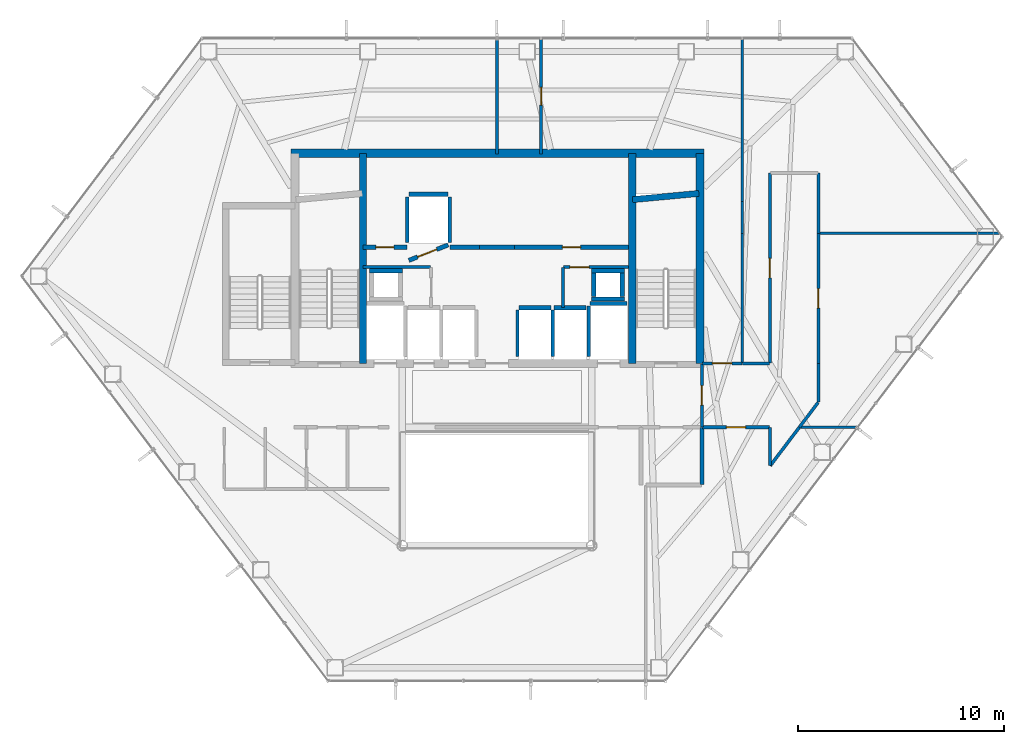
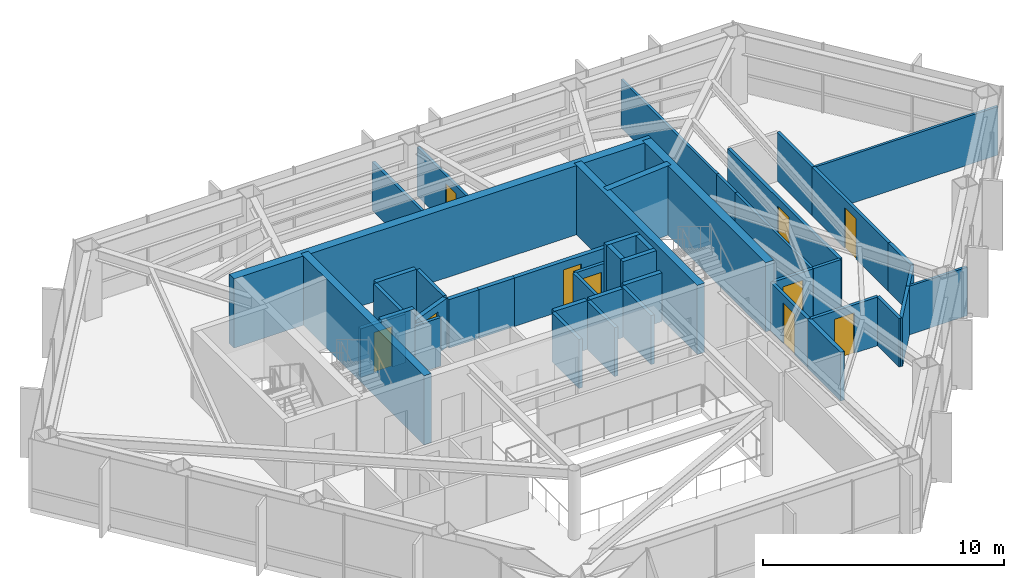
# One storey, part 26 of 28: 46 walls, 10 doors, 10 openings.
"""IFC4 building model written with IfcOpenShell, lengths in metres."""

from ifc_helpers import new_model, si_unit, direction, frame, frame_2d, origin, place, context, subcontext, project, spatial, rectangle, extrude, material, layer, layer_set, type_object, element, fill, save


model = new_model("IFC4")

# Units and contexts
model_context = context("Model", 3, precision=1e-05, world=origin(), true_north=direction((0.0, 1.0)))
body_context = subcontext(model_context, "Body", "Model", "MODEL_VIEW")
ifc_project = project(units=[si_unit("LENGTHUNIT", "METRE"), si_unit("AREAUNIT", "SQUARE_METRE"), si_unit("VOLUMEUNIT", "CUBIC_METRE"), si_unit("PLANEANGLEUNIT", "RADIAN"), si_unit("MASSUNIT", "GRAM", prefix="KILO")], contexts=[model_context])

# Site, building, storey
site_placement = place(None, origin())
site = spatial("IfcSite", under=ifc_project, at=site_placement, CompositionType="ELEMENT")
building_placement = place(site_placement, origin())
building = spatial("IfcBuilding", under=site, at=building_placement, Name="Zarrinselat Tower", CompositionType="ELEMENT")
storey_placement = place(building_placement, frame((0.0, 0.0, 149.60009765625)))
storey = spatial("IfcBuildingStorey", under=building, at=storey_placement, Name="L36", CompositionType="ELEMENT", Elevation=149.60009765625)

# Walls
ifc_material_1 = material(Name="Concrete C40/50", Category="concrete")
ifc_layer_1 = layer(ifc_material_1, 0.18994140625)
ifc_layer_set_1 = layer_set([ifc_layer_1], Name="Concrete C40/50")
wall_type_1 = type_object("IfcWallType", Name="WAL-PART-EI120", PredefinedType="PARTITIONING", material=ifc_layer_set_1)
wall_1_placement = place(storey_placement, frame((48.35009765625, 27.3701171875, 0.0), z_axis=(0.0, 0.0, 1.0), x_axis=(0.0, 1.0, 0.0)))
element("IfcWall", 1, at=wall_1_placement, inside=storey, type_object=wall_type_1, Name="L36 Partition Wall 17", PredefinedType="PARTITIONING", context=body_context, shape_type="SweptSolid", body=[
    extrude(rectangle(XDim=2.759765625, YDim=0.18994140625, at=frame_2d((1.3798828125, 0.0))), origin(), (0.0, 0.0, 1.0), 2.456787109375),
])
ifc_material_2 = material(Name="Fire-Rated Gypsum Board Partition", Category="gypsum")
ifc_layer_2 = layer(ifc_material_2, 0.14990234375)
ifc_layer_set_2 = layer_set([ifc_layer_2], Name="Fire-Rated Gypsum Board Partition")
wall_type_2 = type_object("IfcWallType", Name="WAL-PART-EI60", PredefinedType="PARTITIONING", material=ifc_layer_set_2)
wall_2_placement = place(storey_placement, frame((31.885009765625, 37.919921875, 0.0), z_axis=(0.0, 0.0, 1.0), x_axis=(1.0, 0.0, 0.0)))
element("IfcWall", 2, at=wall_2_placement, inside=storey, type_object=wall_type_2, Name="L36 Partition Wall 2", PredefinedType="PARTITIONING", context=body_context, shape_type="SweptSolid", body=[
    extrude(rectangle(XDim=3.294921875, YDim=0.14990234375, at=frame_2d((1.6474609375, 0.0))), origin(), (0.0, 0.0, 1.0), 2.456787109375),
])

# Wall, opening, door
wall_3_placement = place(storey_placement, frame((41.6201171875, 37.919921875, 0.0), z_axis=(0.0, 0.0, 1.0), x_axis=(1.0, 0.0, 0.0)))
wall_3 = element("IfcWall", 3, at=wall_3_placement, inside=storey, type_object=wall_type_2, Name="L36 Partition Wall 7", PredefinedType="PARTITIONING", context=body_context, shape_type="SweptSolid", body=[
    extrude(rectangle(XDim=3.164794921875, YDim=0.14990234375, at=frame_2d((1.58251953125, 0.0))), origin(), (0.0, 0.0, 1.0), 2.456787109375),
])
opening_1_placement = place(wall_3_placement, frame((0.3125, 0.0, 0.0)))
opening_1 = element("IfcOpeningElement", 4, at=opening_1_placement, cuts=wall_3, Name="Opening ID-04", PredefinedType="OPENING", context=body_context, shape_type="SweptSolid", body=[
    extrude(rectangle(XDim=0.93994140625, YDim=2.050048828125, at=frame_2d((0.469970703125, 1.02490234375))), frame((0.0, 0.0849609375, 0.0), z_axis=(0.0, -1.0, 0.0), x_axis=(1.0, 0.0, 0.0)), (0.0, 0.0, 1.0), 0.169921875),
])
ifc_material_3 = material(Name="Fire-Rated Gypsum Board Partition")
door_type_1 = type_object("IfcDoorType", Name="DR-INT-FD30-ENT", OperationType="NOTDEFINED", PredefinedType="DOOR", material=ifc_material_3)
door_1_placement = place(opening_1_placement, origin())
door_1 = element("IfcDoor", 5, at=door_1_placement, inside=storey, type_object=door_type_1, Name="L36 Interior Door P7", OperationType="SINGLE_SWING_RIGHT", OverallHeight=2.050048828125, OverallWidth=0.93994140625, PredefinedType="DOOR", context=body_context, shape_type="SweptSolid", body=[
    extrude(rectangle(XDim=0.93994140625, YDim=2.050048828125, at=frame_2d((0.469970703125, 1.02490234375))), frame((0.0, 0.02490234375, 0.0), z_axis=(0.0, -1.0, 0.0), x_axis=(1.0, 0.0, 0.0)), (0.0, 0.0, 1.0), 0.050048828125),
])
fill(opening_1, door_1)

# Wall
wall_4_placement = place(storey_placement, frame((41.60009765625, 35.969970703125, 0.0), z_axis=(0.0, 0.0, 1.0), x_axis=(0.0, 1.0, 0.0)))
element("IfcWall", 6, at=wall_4_placement, inside=storey, type_object=wall_type_2, Name="L36 Partition Wall 8", PredefinedType="PARTITIONING", context=body_context, shape_type="SweptSolid", body=[
    extrude(rectangle(XDim=1.929931640625, YDim=0.14990234375, at=frame_2d((0.96484375, 0.0))), origin(), (0.0, 0.0, 1.0), 2.456787109375),
])

# Wall, opening, door
wall_5_placement = place(storey_placement, frame((48.35009765625, 30.169921875, 0.0), z_axis=(0.0, 0.0, 1.0), x_axis=(0.0, 1.0, 0.0)))
wall_5 = element("IfcWall", 7, at=wall_5_placement, inside=storey, type_object=wall_type_2, Name="L36 Partition Wall 10", PredefinedType="PARTITIONING", context=body_context, shape_type="SweptSolid", body=[
    extrude(rectangle(XDim=3.06005859375, YDim=0.14990234375, at=frame_2d((1.530029296875, 0.0))), origin(), (0.0, 0.0, 1.0), 2.456787109375),
])
opening_2_placement = place(wall_5_placement, frame((1.06005859375, 0.0, 0.0)))
opening_2 = element("IfcOpeningElement", 8, at=opening_2_placement, cuts=wall_5, Name="Opening ID-04", PredefinedType="OPENING", context=body_context, shape_type="SweptSolid", body=[
    extrude(rectangle(XDim=0.93994140625, YDim=2.050048828125, at=frame_2d((0.469970703125, 1.02490234375))), frame((0.0, 0.0849609375, 0.0), z_axis=(0.0, -1.0, 0.0), x_axis=(1.0, 0.0, 0.0)), (0.0, 0.0, 1.0), 0.169921875),
])
door_2_placement = place(opening_2_placement, origin())
door_2 = element("IfcDoor", 9, at=door_2_placement, inside=storey, type_object=door_type_1, Name="L36 Interior Door P10", OperationType="SINGLE_SWING_RIGHT", OverallHeight=2.050048828125, OverallWidth=0.93994140625, PredefinedType="DOOR", context=body_context, shape_type="SweptSolid", body=[
    extrude(rectangle(XDim=0.93994140625, YDim=2.050048828125, at=frame_2d((0.469970703125, 1.02490234375))), frame((0.0, 0.02490234375, 0.0), z_axis=(0.0, -1.0, 0.0), x_axis=(1.0, 0.0, 0.0)), (0.0, 0.0, 1.0), 0.050048828125),
])
fill(opening_2, door_2)

# Walls
wall_6_placement = place(storey_placement, frame((51.662109375, 28.28173828125, 0.0), z_axis=(0.0, 0.0, 1.0), x_axis=(0.603811538878, 0.797127107504, 0.0)))
element("IfcWall", 10, at=wall_6_placement, inside=storey, type_object=wall_type_2, Name="L36 Partition Wall 18", PredefinedType="PARTITIONING", context=body_context, shape_type="SweptSolid", body=[
    extrude(rectangle(XDim=2.3427734375, YDim=0.14990234375, at=frame_2d((1.17138671875, 0.0))), origin(), (0.0, 0.0, 1.0), 2.456787109375),
])
wall_7_placement = place(storey_placement, frame((51.64990234375, 28.285888671875, 0.0), z_axis=(0.0, 0.0, 1.0), x_axis=(0.0, 1.0, 0.0)))
element("IfcWall", 11, at=wall_7_placement, inside=storey, type_object=wall_type_2, Name="L36 Partition Wall 19", PredefinedType="PARTITIONING", context=body_context, shape_type="SweptSolid", body=[
    extrude(rectangle(XDim=1.843994140625, YDim=0.14990234375, at=frame_2d((0.921875, 0.0))), origin(), (0.0, 0.0, 1.0), 2.456787109375),
])

# Wall, opening, door
wall_8_placement = place(storey_placement, frame((48.3701171875, 30.14990234375, 0.0), z_axis=(0.0, 0.0, 1.0), x_axis=(1.0, 0.0, 0.0)))
wall_8 = element("IfcWall", 12, at=wall_8_placement, inside=storey, type_object=wall_type_2, Name="L36 Partition Wall 20", PredefinedType="PARTITIONING", context=body_context, shape_type="SweptSolid", body=[
    extrude(rectangle(XDim=3.259765625, YDim=0.14990234375, at=frame_2d((1.6298828125, 0.0))), origin(), (0.0, 0.0, 1.0), 2.456787109375),
])
opening_3_placement = place(wall_8_placement, frame((1.159912109375, 0.0, 0.0)))
opening_3 = element("IfcOpeningElement", 13, at=opening_3_placement, cuts=wall_8, Name="Opening ID-04", PredefinedType="OPENING", context=body_context, shape_type="SweptSolid", body=[
    extrude(rectangle(XDim=0.93994140625, YDim=2.050048828125, at=frame_2d((0.469970703125, 1.02490234375))), frame((0.0, 0.0849609375, 0.0), z_axis=(0.0, -1.0, 0.0), x_axis=(1.0, 0.0, 0.0)), (0.0, 0.0, 1.0), 0.169921875),
])
door_3_placement = place(opening_3_placement, origin())
door_3 = element("IfcDoor", 14, at=door_3_placement, inside=storey, type_object=door_type_1, Name="L36 Interior Door P20", OperationType="SINGLE_SWING_RIGHT", OverallHeight=2.050048828125, OverallWidth=0.93994140625, PredefinedType="DOOR", context=body_context, shape_type="SweptSolid", body=[
    extrude(rectangle(XDim=0.93994140625, YDim=2.050048828125, at=frame_2d((0.469970703125, 1.02490234375))), frame((0.0, 0.02490234375, 0.0), z_axis=(0.0, -1.0, 0.0), x_axis=(1.0, 0.0, 0.0)), (0.0, 0.0, 1.0), 0.050048828125),
])
fill(opening_3, door_3)

wall_9_placement = place(storey_placement, frame((54.0, 33.25, 0.0), z_axis=(0.0, 0.0, 1.0), x_axis=(0.0, 1.0, 0.0)))
wall_9 = element("IfcWall", 15, at=wall_9_placement, inside=storey, type_object=wall_type_2, Name="L36 Partition Wall 21", PredefinedType="PARTITIONING", context=body_context, shape_type="SweptSolid", body=[
    extrude(rectangle(XDim=6.306640625, YDim=0.14990234375, at=frame_2d((3.1533203125, 0.0))), origin(), (0.0, 0.0, 1.0), 2.456787109375),
])
opening_4_placement = place(wall_9_placement, frame((2.683349609375, 0.0, 0.0)))
opening_4 = element("IfcOpeningElement", 16, at=opening_4_placement, cuts=wall_9, Name="Opening ID-04", PredefinedType="OPENING", context=body_context, shape_type="SweptSolid", body=[
    extrude(rectangle(XDim=0.93994140625, YDim=2.050048828125, at=frame_2d((0.469970703125, 1.02490234375))), frame((0.0, 0.0849609375, 0.0), z_axis=(0.0, -1.0, 0.0), x_axis=(1.0, 0.0, 0.0)), (0.0, 0.0, 1.0), 0.169921875),
])
door_4_placement = place(opening_4_placement, origin())
door_4 = element("IfcDoor", 17, at=door_4_placement, inside=storey, type_object=door_type_1, Name="L36 Interior Door P21", OperationType="SINGLE_SWING_LEFT", OverallHeight=2.050048828125, OverallWidth=0.93994140625, PredefinedType="DOOR", context=body_context, shape_type="SweptSolid", body=[
    extrude(rectangle(XDim=0.93994140625, YDim=2.050048828125, at=frame_2d((0.469970703125, 1.02490234375))), frame((0.0, 0.02490234375, 0.0), z_axis=(0.0, -1.0, 0.0), x_axis=(1.0, 0.0, 0.0)), (0.0, 0.0, 1.0), 0.050048828125),
])
fill(opening_4, door_4)

# Walls
wall_10_placement = place(storey_placement, frame((54.0, 31.3876953125, 0.0), z_axis=(0.0, 0.0, 1.0), x_axis=(0.0, 1.0, 0.0)))
element("IfcWall", 18, at=wall_10_placement, inside=storey, type_object=wall_type_2, Name="L36 Partition Wall 22", PredefinedType="PARTITIONING", context=body_context, shape_type="SweptSolid", body=[
    extrude(rectangle(XDim=1.8623046875, YDim=0.14990234375, at=frame_2d((0.93115234375, 0.0))), origin(), (0.0, 0.0, 1.0), 2.456787109375),
])
wall_11_placement = place(storey_placement, frame((53.080322265625, 30.154052734375, 0.0), z_axis=(0.0, 0.0, 1.0), x_axis=(0.603892095683, 0.797066080555, 0.0)))
element("IfcWall", 19, at=wall_11_placement, inside=storey, type_object=wall_type_2, Name="L36 Partition Wall 23", PredefinedType="PARTITIONING", context=body_context, shape_type="SweptSolid", body=[
    extrude(rectangle(XDim=1.502685546875, YDim=0.14990234375, at=frame_2d((0.75146484375, 0.0))), origin(), (0.0, 0.0, 1.0), 2.456787109375),
])
wall_12_placement = place(storey_placement, frame((50.304931640625, 33.25, 0.0), z_axis=(0.0, 0.0, 1.0), x_axis=(1.0, 0.0, 0.0)))
element("IfcWall", 20, at=wall_12_placement, inside=storey, type_object=wall_type_2, Name="L36 Partition Wall 24", PredefinedType="PARTITIONING", context=body_context, shape_type="SweptSolid", body=[
    extrude(rectangle(XDim=1.324951171875, YDim=0.14990234375, at=frame_2d((0.66259765625, 0.0))), origin(), (0.0, 0.0, 1.0), 2.456787109375),
])

# Wall, opening, door
wall_13_placement = place(storey_placement, frame((51.64990234375, 33.27001953125, 0.0), z_axis=(0.0, 0.0, 1.0), x_axis=(0.0, 1.0, 0.0)))
wall_13 = element("IfcWall", 21, at=wall_13_placement, inside=storey, type_object=wall_type_2, Name="L36 Partition Wall 25", PredefinedType="PARTITIONING", context=body_context, shape_type="SweptSolid", body=[
    extrude(rectangle(XDim=9.2099609375, YDim=0.14990234375, at=frame_2d((4.60498046875, 0.0))), origin(), (0.0, 0.0, 1.0), 2.456787109375),
])
opening_5_placement = place(wall_13_placement, frame((4.135009765625, 0.0, 0.0)))
opening_5 = element("IfcOpeningElement", 22, at=opening_5_placement, cuts=wall_13, Name="Opening ID-04", PredefinedType="OPENING", context=body_context, shape_type="SweptSolid", body=[
    extrude(rectangle(XDim=0.93994140625, YDim=2.050048828125, at=frame_2d((0.469970703125, 1.02490234375))), frame((0.0, 0.0849609375, 0.0), z_axis=(0.0, -1.0, 0.0), x_axis=(1.0, 0.0, 0.0)), (0.0, 0.0, 1.0), 0.169921875),
])
door_5_placement = place(opening_5_placement, origin())
door_5 = element("IfcDoor", 23, at=door_5_placement, inside=storey, type_object=door_type_1, Name="L36 Interior Door P25", OperationType="SINGLE_SWING_RIGHT", OverallHeight=2.050048828125, OverallWidth=0.93994140625, PredefinedType="DOOR", context=body_context, shape_type="SweptSolid", body=[
    extrude(rectangle(XDim=0.93994140625, YDim=2.050048828125, at=frame_2d((0.469970703125, 1.02490234375))), frame((0.0, 0.02490234375, 0.0), z_axis=(0.0, -1.0, 0.0), x_axis=(1.0, 0.0, 0.0)), (0.0, 0.0, 1.0), 0.050048828125),
])
fill(opening_5, door_5)

# Wall
wall_14_placement = place(storey_placement, frame((54.0, 39.566650390625, 0.0), z_axis=(0.0, 0.0, 1.0), x_axis=(0.0, 1.0, 0.0)))
element("IfcWall", 24, at=wall_14_placement, inside=storey, type_object=wall_type_2, Name="L36 Partition Wall 27", PredefinedType="PARTITIONING", context=body_context, shape_type="SweptSolid", body=[
    extrude(rectangle(XDim=2.913330078125, YDim=0.14990234375, at=frame_2d((1.45654296875, 0.0))), origin(), (0.0, 0.0, 1.0), 2.456787109375),
])

# Wall, opening, door
wall_15_placement = place(storey_placement, frame((48.364990234375, 33.25, 0.0), z_axis=(0.0, 0.0, 1.0), x_axis=(1.0, 0.0, 0.0)))
wall_15 = element("IfcWall", 25, at=wall_15_placement, inside=storey, type_object=wall_type_2, Name="L36 Partition Wall 28", PredefinedType="PARTITIONING", context=body_context, shape_type="SweptSolid", body=[
    extrude(rectangle(XDim=1.929931640625, YDim=0.14990234375, at=frame_2d((0.96484375, 0.0))), origin(), (0.0, 0.0, 1.0), 2.456787109375),
])
opening_6_placement = place(wall_15_placement, frame((0.4951171875, 0.0, 0.0)))
opening_6 = element("IfcOpeningElement", 26, at=opening_6_placement, cuts=wall_15, Name="Opening ID-04", PredefinedType="OPENING", context=body_context, shape_type="SweptSolid", body=[
    extrude(rectangle(XDim=0.93994140625, YDim=2.050048828125, at=frame_2d((0.469970703125, 1.02490234375))), frame((0.0, 0.0849609375, 0.0), z_axis=(0.0, -1.0, 0.0), x_axis=(1.0, 0.0, 0.0)), (0.0, 0.0, 1.0), 0.169921875),
])
door_6_placement = place(opening_6_placement, origin())
door_6 = element("IfcDoor", 27, at=door_6_placement, inside=storey, type_object=door_type_1, Name="L36 Interior Door P28", OperationType="SINGLE_SWING_LEFT", OverallHeight=2.050048828125, OverallWidth=0.93994140625, PredefinedType="DOOR", context=body_context, shape_type="SweptSolid", body=[
    extrude(rectangle(XDim=0.93994140625, YDim=2.050048828125, at=frame_2d((0.469970703125, 1.02490234375))), frame((0.0, 0.02490234375, 0.0), z_axis=(0.0, -1.0, 0.0), x_axis=(1.0, 0.0, 0.0)), (0.0, 0.0, 1.0), 0.050048828125),
])
fill(opening_6, door_6)

ifc_material_4 = material(Name="Concrete C40/50", Category="concrete")
ifc_layer_3 = layer(ifc_material_4, 0.199951171875)
ifc_layer_set_3 = layer_set([ifc_layer_3], Name="Concrete C40/50")
wall_type_3 = type_object("IfcWallType", Name="WAL-PART-PLANT", PredefinedType="PARTITIONING", material=ifc_layer_set_3)
wall_16_placement = place(storey_placement, frame((31.885009765625, 38.889892578125, 0.0), z_axis=(0.0, 0.0, 1.0), x_axis=(1.0, 0.0, 0.0)))
wall_16 = element("IfcWall", 28, at=wall_16_placement, inside=storey, type_object=wall_type_3, Name="L36 Partition Wall 3", PredefinedType="PARTITIONING", context=body_context, shape_type="SweptSolid", body=[
    extrude(rectangle(XDim=2.14990234375, YDim=0.199951171875, at=frame_2d((1.074951171875, 0.0))), origin(), (0.0, 0.0, 1.0), 2.456787109375),
])
opening_7_placement = place(wall_16_placement, frame((0.635009765625, 0.0, 0.0)))
opening_7 = element("IfcOpeningElement", 29, at=opening_7_placement, cuts=wall_16, Name="Opening ID-03", PredefinedType="OPENING", context=body_context, shape_type="SweptSolid", body=[
    extrude(rectangle(XDim=0.8798828125, YDim=2.050048828125, at=frame_2d((0.43994140625, 1.02490234375))), frame((0.0, 0.10986328125, 0.0), z_axis=(0.0, -1.0, 0.0), x_axis=(1.0, 0.0, 0.0)), (0.0, 0.0, 1.0), 0.219970703125),
])
ifc_material_5 = material(Name="Steel S355J2", Category="steel")
door_type_2 = type_object("IfcDoorType", Name="DR-INT-FD60-S", OperationType="NOTDEFINED", PredefinedType="DOOR", material=ifc_material_5)
door_7_placement = place(opening_7_placement, origin())
door_7 = element("IfcDoor", 30, at=door_7_placement, inside=storey, type_object=door_type_2, Name="L36 Interior Door P3", OperationType="SINGLE_SWING_RIGHT", OverallHeight=2.050048828125, OverallWidth=0.8798828125, PredefinedType="DOOR", context=body_context, shape_type="SweptSolid", body=[
    extrude(rectangle(XDim=0.8798828125, YDim=2.050048828125, at=frame_2d((0.43994140625, 1.02490234375))), frame((0.0, 0.02490234375, 0.0), z_axis=(0.0, -1.0, 0.0), x_axis=(1.0, 0.0, 0.0)), (0.0, 0.0, 1.0), 0.050048828125),
])
fill(opening_7, door_7)

# Walls
wall_17_placement = place(storey_placement, frame((36.114990234375, 38.889892578125, 0.0), z_axis=(0.0, 0.0, 1.0), x_axis=(1.0, 0.0, 0.0)))
element("IfcWall", 31, at=wall_17_placement, inside=storey, type_object=wall_type_3, Name="L36 Partition Wall 4", PredefinedType="PARTITIONING", context=body_context, shape_type="SweptSolid", body=[
    extrude(rectangle(XDim=1.43505859375, YDim=0.199951171875, at=frame_2d((0.717529296875, 0.0))), origin(), (0.0, 0.0, 1.0), 2.456787109375),
])
wall_18_placement = place(storey_placement, frame((37.550048828125, 38.889892578125, 0.0), z_axis=(0.0, 0.0, 1.0), x_axis=(1.0, 0.0, 0.0)))
element("IfcWall", 32, at=wall_18_placement, inside=storey, type_object=wall_type_3, Name="L36 Partition Wall 5", PredefinedType="PARTITIONING", context=body_context, shape_type="SweptSolid", body=[
    extrude(rectangle(XDim=1.699951171875, YDim=0.199951171875, at=frame_2d((0.85009765625, 0.0))), origin(), (0.0, 0.0, 1.0), 2.456787109375),
])

# Wall, opening, door
wall_19_placement = place(storey_placement, frame((39.25, 38.889892578125, 0.0), z_axis=(0.0, 0.0, 1.0), x_axis=(1.0, 0.0, 0.0)))
wall_19 = element("IfcWall", 33, at=wall_19_placement, inside=storey, type_object=wall_type_3, Name="L36 Partition Wall 6", PredefinedType="PARTITIONING", context=body_context, shape_type="SweptSolid", body=[
    extrude(rectangle(XDim=5.534912109375, YDim=0.199951171875, at=frame_2d((2.767578125, 0.0))), origin(), (0.0, 0.0, 1.0), 2.456787109375),
])
opening_8_placement = place(wall_19_placement, frame((2.327392578125, 0.0, 0.0)))
opening_8 = element("IfcOpeningElement", 34, at=opening_8_placement, cuts=wall_19, Name="Opening ID-03", PredefinedType="OPENING", context=body_context, shape_type="SweptSolid", body=[
    extrude(rectangle(XDim=0.8798828125, YDim=2.050048828125, at=frame_2d((0.43994140625, 1.02490234375))), frame((0.0, 0.10986328125, 0.0), z_axis=(0.0, -1.0, 0.0), x_axis=(1.0, 0.0, 0.0)), (0.0, 0.0, 1.0), 0.219970703125),
])
door_8_placement = place(opening_8_placement, origin())
door_8 = element("IfcDoor", 35, at=door_8_placement, inside=storey, type_object=door_type_2, Name="L36 Interior Door P6", OperationType="SINGLE_SWING_LEFT", OverallHeight=2.050048828125, OverallWidth=0.8798828125, PredefinedType="DOOR", context=body_context, shape_type="SweptSolid", body=[
    extrude(rectangle(XDim=0.8798828125, YDim=2.050048828125, at=frame_2d((0.43994140625, 1.02490234375))), frame((0.0, 0.02490234375, 0.0), z_axis=(0.0, -1.0, 0.0), x_axis=(1.0, 0.0, 0.0)), (0.0, 0.0, 1.0), 0.050048828125),
])
fill(opening_8, door_8)

# Walls
ifc_material_6 = material(Name="Fire-Rated Gypsum Board Partition", Category="gypsum")
ifc_layer_4 = layer(ifc_material_6, 0.1201171875)
ifc_layer_set_4 = layer_set([ifc_layer_4], Name="Fire-Rated Gypsum Board Partition")
wall_type_4 = type_object("IfcWallType", Name="WAL-PART-STD", PredefinedType="PARTITIONING", material=ifc_layer_set_4)
wall_20_placement = place(storey_placement, frame((53.097412109375, 30.14990234375, 0.0), z_axis=(0.0, 0.0, 1.0), x_axis=(1.0, 0.0, 0.0)))
element("IfcWall", 36, at=wall_20_placement, inside=storey, type_object=wall_type_4, Name="L36 Partition Wall 39", PredefinedType="PARTITIONING", context=body_context, shape_type="SweptSolid", body=[
    extrude(rectangle(XDim=2.80029296875, YDim=0.1201171875, at=frame_2d((1.400146484375, 0.0))), origin(), (0.0, 0.0, 1.0), 2.456787109375),
])
wall_21_placement = place(storey_placement, frame((54.02001953125, 39.561767578125, 0.0), z_axis=(0.0, 0.0, 1.0), x_axis=(1.0, 0.0, 0.0)))
element("IfcWall", 37, at=wall_21_placement, inside=storey, type_object=wall_type_4, Name="L36 Partition Wall 40", PredefinedType="PARTITIONING", context=body_context, shape_type="SweptSolid", body=[
    extrude(rectangle(XDim=8.773193359375, YDim=0.1201171875, at=frame_2d((4.38671875, 0.0))), origin(), (0.0, 0.0, 1.0), 2.456787109375),
])
wall_22_placement = place(storey_placement, frame((50.300048828125, 33.27001953125, 0.0), z_axis=(0.0, 0.0, 1.0), x_axis=(0.0, 1.0, 0.0)))
element("IfcWall", 38, at=wall_22_placement, inside=storey, type_object=wall_type_4, Name="L36 Partition Wall 41", PredefinedType="PARTITIONING", context=body_context, shape_type="SweptSolid", body=[
    extrude(rectangle(XDim=6.291748046875, YDim=0.1201171875, at=frame_2d((3.14599609375, 0.0))), origin(), (0.0, 0.0, 1.0), 2.456787109375),
])
wall_23_placement = place(storey_placement, frame((50.300048828125, 39.561767578125, 0.0), z_axis=(0.0, 0.0, 1.0), x_axis=(0.0, 1.0, 0.0)))
element("IfcWall", 39, at=wall_23_placement, inside=storey, type_object=wall_type_4, Name="L36 Partition Wall 42", PredefinedType="PARTITIONING", context=body_context, shape_type="SweptSolid", body=[
    extrude(rectangle(XDim=1.5498046875, YDim=0.1201171875, at=frame_2d((0.77490234375, 0.0))), origin(), (0.0, 0.0, 1.0), 2.456787109375),
])
wall_24_placement = place(storey_placement, frame((50.300048828125, 41.111572265625, 0.0), z_axis=(0.0, 0.0, 1.0), x_axis=(0.0, 1.0, 0.0)))
element("IfcWall", 40, at=wall_24_placement, inside=storey, type_object=wall_type_4, Name="L36 Partition Wall 43", PredefinedType="PARTITIONING", context=body_context, shape_type="SweptSolid", body=[
    extrude(rectangle(XDim=7.90673828125, YDim=0.1201171875, at=frame_2d((3.953369140625, 0.0))), origin(), (0.0, 0.0, 1.0), 2.456787109375),
])
ifc_material_7 = material(Name="Fire-Rated Gypsum Board Partition", Category="gypsum")
ifc_layer_5 = layer(ifc_material_7, 0.135009765625)
ifc_layer_set_5 = layer_set([ifc_layer_5], Name="Fire-Rated Gypsum Board Partition")
wall_type_5 = type_object("IfcWallType", Name="WAL-PART-WET", PredefinedType="PARTITIONING", material=ifc_layer_set_5)
wall_25_placement = place(storey_placement, frame((38.39990234375, 43.4150390625, 0.0), z_axis=(0.0, 0.0, 1.0), x_axis=(0.0, 1.0, 0.0)))
element("IfcWall", 41, at=wall_25_placement, inside=storey, type_object=wall_type_5, Name="L36 Partition Wall 38", PredefinedType="PARTITIONING", context=body_context, shape_type="SweptSolid", body=[
    extrude(rectangle(XDim=5.603271484375, YDim=0.135009765625, at=frame_2d((2.8017578125, 0.0))), origin(), (0.0, 0.0, 1.0), 2.456787109375),
])

# Wall, opening, door
wall_26_placement = place(storey_placement, frame((40.5419921875, 43.4150390625, 0.0), z_axis=(0.0, 0.0, 1.0), x_axis=(0.0, 1.0, 0.0)))
wall_26 = element("IfcWall", 42, at=wall_26_placement, inside=storey, type_object=wall_type_5, Name="L36 Partition Wall 44", PredefinedType="PARTITIONING", context=body_context, shape_type="SweptSolid", body=[
    extrude(rectangle(XDim=5.603271484375, YDim=0.135009765625, at=frame_2d((2.8017578125, 0.0))), origin(), (0.0, 0.0, 1.0), 2.456787109375),
])
opening_9_placement = place(wall_26_placement, frame((2.37158203125, 0.0, 0.0)))
opening_9 = element("IfcOpeningElement", 43, at=opening_9_placement, cuts=wall_26, Name="Opening ID-06", PredefinedType="OPENING", context=body_context, shape_type="SweptSolid", body=[
    extrude(rectangle(XDim=0.860107421875, YDim=2.050048828125, at=frame_2d((0.43017578125, 1.02490234375))), frame((0.0, 0.077392578125, 0.0), z_axis=(0.0, -1.0, 0.0), x_axis=(1.0, 0.0, 0.0)), (0.0, 0.0, 1.0), 0.155029296875),
])
ifc_material_8 = material(Name="Extruded Aluminium Alloy EN AW-6063 T6", Category="aluminium")
door_type_3 = type_object("IfcDoorType", Name="DR-INT-WET-900", OperationType="NOTDEFINED", PredefinedType="DOOR", material=ifc_material_8)
door_9_placement = place(opening_9_placement, origin())
door_9 = element("IfcDoor", 44, at=door_9_placement, inside=storey, type_object=door_type_3, Name="L36 Interior Door P44", OperationType="SINGLE_SWING_RIGHT", OverallHeight=2.050048828125, OverallWidth=0.860107421875, PredefinedType="DOOR", context=body_context, shape_type="SweptSolid", body=[
    extrude(rectangle(XDim=0.860107421875, YDim=2.050048828125, at=frame_2d((0.43017578125, 1.02490234375))), frame((0.0, 0.02490234375, 0.0), z_axis=(0.0, -1.0, 0.0), x_axis=(1.0, 0.0, 0.0)), (0.0, 0.0, 1.0), 0.050048828125),
])
fill(opening_9, door_9)

# Walls
ifc_material_9 = material(Name="Concrete C40/50", Category="concrete")
ifc_layer_6 = layer(ifc_material_9, 0.2099609375)
ifc_layer_set_6 = layer_set([ifc_layer_6], Name="Concrete C40/50")
wall_type_6 = type_object("IfcWallType", Name="WAL-SHAFT-210", PredefinedType="SOLIDWALL", material=ifc_layer_set_6)
wall_27_placement = place(storey_placement, frame((42.919921875, 36.155029296875, 0.0), z_axis=(0.0, 0.0, 1.0), x_axis=(1.0, 0.0, 0.0)))
element("IfcWall", 45, at=wall_27_placement, inside=storey, type_object=wall_type_6, Name="L36 Lift FFL2 North Shaft Wall", PredefinedType="SOLIDWALL", context=body_context, shape_type="SweptSolid", body=[
    extrude(rectangle(XDim=1.800048828125, YDim=0.2099609375, at=frame_2d((0.89990234375, 0.0))), origin(), (0.0, 0.0, 1.0), 2.471923828125),
])
wall_28_placement = place(storey_placement, frame((42.85009765625, 33.580078125, 0.0), z_axis=(0.0, 0.0, 1.0), x_axis=(0.0, 1.0, 0.0)))
element("IfcWall", 46, at=wall_28_placement, inside=storey, type_object=wall_type_6, Name="L36 Lift FFL2 W Shaft Wall", PredefinedType="SOLIDWALL", context=body_context, shape_type="SweptSolid", body=[
    extrude(rectangle(XDim=2.449951171875, YDim=0.159912109375, at=frame_2d((1.22509765625, 0.0))), origin(), (0.0, 0.0, 1.0), 2.471923828125),
])

# Wall, opening, door
wall_29_placement = place(storey_placement, frame((34.1201171875, 38.25, 0.0), z_axis=(0.0, 0.0, 1.0), x_axis=(0.930804993012, 0.36551616241, 0.0)))
wall_29 = element("IfcWall", 47, at=wall_29_placement, inside=storey, type_object=wall_type_6, Name="L36 Lift PL7 Front Shaft Wall", PredefinedType="SOLIDWALL", context=body_context, shape_type="SweptSolid", body=[
    extrude(rectangle(XDim=2.052001953125, YDim=0.2099609375, at=frame_2d((1.02587890625, 0.0))), origin(), (0.0, 0.0, 1.0), 2.471923828125),
])
opening_10_placement = place(wall_29_placement, frame((0.455078125, 0.0, 0.0)))
opening_10 = element("IfcOpeningElement", 48, at=opening_10_placement, cuts=wall_29, Name="Opening LD-PL7", PredefinedType="OPENING", context=body_context, shape_type="SweptSolid", body=[
    extrude(rectangle(XDim=1.0, YDim=2.10009765625, at=frame_2d((0.5, 1.050048828125))), frame((0.0, 0.114990234375, 0.0), z_axis=(0.0, -1.0, 0.0), x_axis=(1.0, 0.0, 0.0)), (0.0, 0.0, 1.0), 0.22998046875),
])
ifc_material_10 = material(Name="Steel S355J2", Category="steel")
door_type_4 = type_object("IfcDoorType", Name="DR-LIFT-PS-1000", OperationType="NOTDEFINED", PredefinedType="DOOR", material=ifc_material_10)
door_10_placement = place(opening_10_placement, origin())
door_10 = element("IfcDoor", 49, at=door_10_placement, inside=storey, type_object=door_type_4, Name="L36 Lift PL7 Sliding Landing Door", OperationType="SLIDING_TO_LEFT", OverallHeight=2.10009765625, OverallWidth=1.0, PredefinedType="DOOR", context=body_context, shape_type="SweptSolid", body=[
    extrude(rectangle(XDim=1.0, YDim=2.10009765625, at=frame_2d((0.5, 1.050048828125))), frame((0.0, 0.02490234375, 0.0), z_axis=(0.0, -1.0, 0.0), x_axis=(1.0, 0.0, 0.0)), (0.0, 0.0, 1.0), 0.050048828125),
])
fill(opening_10, door_10)

# Walls
wall_30_placement = place(storey_placement, frame((34.1201171875, 41.455078125, 0.0), z_axis=(0.0, 0.0, 1.0), x_axis=(1.0, 0.0, 0.0)))
element("IfcWall", 50, at=wall_30_placement, inside=storey, type_object=wall_type_6, Name="L36 Lift PL7 Rear Shaft Wall", PredefinedType="SOLIDWALL", context=body_context, shape_type="SweptSolid", body=[
    extrude(rectangle(XDim=1.909912109375, YDim=0.2099609375, at=frame_2d((0.955078125, 0.0))), origin(), (0.0, 0.0, 1.0), 2.471923828125),
])
for number, where, z_axis, x_axis, name in (
    (51, (34.050048828125, 39.1201171875, 0.0), (0.0, 0.0, 1.0), (0.0, 1.0, 0.0), "L36 Lift PL7 W Shaft Wall"),
    (52, (36.10009765625, 39.1201171875, 0.0), (0.0, 0.0, 1.0), (0.0, 1.0, 0.0), "L36 Lift PL7 E Shaft Wall"),
):
    element("IfcWall", number, at=place(storey_placement, frame(where, z_axis=z_axis, x_axis=x_axis)), inside=storey, type_object=wall_type_6, Name=name, PredefinedType="SOLIDWALL", context=body_context, shape_type="SweptSolid", body=[
        extrude(rectangle(XDim=2.2099609375, YDim=0.159912109375, at=frame_2d((1.10498046875, 0.0))), origin(), (0.0, 0.0, 1.0), 2.471923828125),
    ])
wall_31_placement = place(storey_placement, frame((39.469970703125, 35.955078125, 0.0), z_axis=(0.0, 0.0, 1.0), x_axis=(1.0, 0.0, 0.0)))
element("IfcWall", 53, at=wall_31_placement, inside=storey, type_object=wall_type_6, Name="L36 Lift PL8 North Shaft Wall", PredefinedType="SOLIDWALL", context=body_context, shape_type="SweptSolid", body=[
    extrude(rectangle(XDim=1.56005859375, YDim=0.2099609375, at=frame_2d((0.780029296875, 0.0))), origin(), (0.0, 0.0, 1.0), 2.471923828125),
])
for number, where, z_axis, x_axis, name in (
    (54, (39.39990234375, 33.580078125, 0.0), (0.0, 0.0, 1.0), (0.0, 1.0, 0.0), "L36 Lift PL8 W Shaft Wall"),
    (55, (41.10009765625, 33.580078125, 0.0), (0.0, 0.0, 1.0), (0.0, 1.0, 0.0), "L36 Lift PL8 E Shaft Wall"),
):
    element("IfcWall", number, at=place(storey_placement, frame(where, z_axis=z_axis, x_axis=x_axis)), inside=storey, type_object=wall_type_6, Name=name, PredefinedType="SOLIDWALL", context=body_context, shape_type="SweptSolid", body=[
        extrude(rectangle(XDim=2.25, YDim=0.159912109375, at=frame_2d((1.125, 0.0))), origin(), (0.0, 0.0, 1.0), 2.471923828125),
    ])
wall_32_placement = place(storey_placement, frame((41.169921875, 35.955078125, 0.0), z_axis=(0.0, 0.0, 1.0), x_axis=(1.0, 0.0, 0.0)))
element("IfcWall", 56, at=wall_32_placement, inside=storey, type_object=wall_type_6, Name="L36 Lift PL9 North Shaft Wall", PredefinedType="SOLIDWALL", context=body_context, shape_type="SweptSolid", body=[
    extrude(rectangle(XDim=1.56005859375, YDim=0.2099609375, at=frame_2d((0.780029296875, 0.0))), origin(), (0.0, 0.0, 1.0), 2.471923828125),
])
for number, where, z_axis, x_axis, name in (
    (57, (32.2099609375, 37.7451171875, 0.0), (0.0, 0.0, 1.0), (1.0, 0.0, 0.0), "L36 Core Riser RSR-W N Shaft Wall"),
    (58, (42.989990234375, 36.375, 0.0), (0.0, 0.0, 1.0), (1.0, 0.0, 0.0), "L36 Core Riser RSR-E S Shaft Wall"),
    (59, (42.989990234375, 37.7451171875, 0.0), (0.0, 0.0, 1.0), (1.0, 0.0, 0.0), "L36 Core Riser RSR-E N Shaft Wall"),
):
    element("IfcWall", number, at=place(storey_placement, frame(where, z_axis=z_axis, x_axis=x_axis)), inside=storey, type_object=wall_type_6, Name=name, PredefinedType="SOLIDWALL", context=body_context, shape_type="SweptSolid", body=[
        extrude(rectangle(XDim=1.60009765625, YDim=0.2099609375, at=frame_2d((0.800048828125, 0.0))), origin(), (0.0, 0.0, 1.0), 3.5),
    ])
for number, where, z_axis, x_axis, name in (
    (60, (43.094970703125, 36.485107421875, 0.0), (0.0, 0.0, 1.0), (0.0, 1.0, 0.0), "L36 Core Riser RSR-E W Shaft Wall"),
    (61, (44.485107421875, 36.485107421875, 0.0), (0.0, 0.0, 1.0), (0.0, 1.0, 0.0), "L36 Core Riser RSR-E E Shaft Wall"),
):
    element("IfcWall", number, at=place(storey_placement, frame(where, z_axis=z_axis, x_axis=x_axis)), inside=storey, type_object=wall_type_6, Name=name, PredefinedType="SOLIDWALL", context=body_context, shape_type="SweptSolid", body=[
        extrude(rectangle(XDim=1.14990234375, YDim=0.2099609375, at=frame_2d((0.574951171875, 0.0))), origin(), (0.0, 0.0, 1.0), 3.5),
    ])
ifc_material_11 = material(Name="Concrete C40/50", Category="concrete")
ifc_layer_7 = layer(ifc_material_11, 0.300048828125)
ifc_layer_set_7 = layer_set([ifc_layer_7], Name="Concrete C40/50")
wall_type_7 = type_object("IfcWallType", Name="WAL-SHEAR-300", PredefinedType="SHEAR", material=ifc_layer_set_7)
wall_33_placement = place(storey_placement, frame((44.97998046875, 41.199951171875, 0.0), z_axis=(0.0, 0.0, 1.0), x_axis=(0.995686468965, 0.09278176286, 0.0)))
element("IfcWall", 62, at=wall_33_placement, inside=storey, type_object=wall_type_7, Name="L36 Stair 2 North Shaft Wall", PredefinedType="SHEAR", context=body_context, shape_type="SweptSolid", body=[
    extrude(rectangle(XDim=3.23388671875, YDim=0.300048828125, at=frame_2d((1.616943359375, 0.0))), origin(), (0.0, 0.0, 1.0), 3.5),
])
ifc_material_12 = material(Name="Concrete C50/60", Category="concrete")
ifc_layer_8 = layer(ifc_material_12, 0.35009765625)
ifc_layer_set_8 = layer_set([ifc_layer_8], Name="Concrete C50/60")
wall_type_8 = type_object("IfcWallType", Name="WAL-SHEAR-350", PredefinedType="SHEAR", material=ifc_layer_set_8)
for number, where, z_axis, x_axis, name in (
    (63, (31.89501953125, 33.25, 0.0), (0.0, 0.0, 1.0), (0.0, 1.0, 0.0), "L36 Core Shear Wall ST1E"),
    (64, (44.965087890625, 33.25, 0.0), (0.0, 0.0, 1.0), (0.0, 1.0, 0.0), "L36 Core Shear Wall ST2W"),
):
    element("IfcWall", number, at=place(storey_placement, frame(where, z_axis=z_axis, x_axis=x_axis)), inside=storey, type_object=wall_type_8, Name=name, PredefinedType="SHEAR", context=body_context, shape_type="SweptSolid", body=[
        extrude(rectangle(XDim=10.199951171875, YDim=0.35009765625, at=frame_2d((5.10009765625, 0.0))), origin(), (0.0, 0.0, 1.0), 3.5),
    ])
ifc_material_13 = material(Name="Concrete C60/75", Category="concrete")
ifc_layer_9 = layer(ifc_material_13, 0.39990234375)
ifc_layer_set_9 = layer_set([ifc_layer_9], Name="Concrete C60/75")
wall_type_9 = type_object("IfcWallType", Name="WAL-SHEAR-400", PredefinedType="SHEAR", material=ifc_layer_set_9)
wall_34_placement = place(storey_placement, frame((28.39990234375, 43.449951171875, 0.0), z_axis=(0.0, 0.0, 1.0), x_axis=(1.0, 0.0, 0.0)))
element("IfcWall", 65, at=wall_34_placement, inside=storey, type_object=wall_type_9, Name="L36 North Core Shear Wall", PredefinedType="SHEAR", context=body_context, shape_type="SweptSolid", body=[
    extrude(rectangle(XDim=20.06005859375, YDim=0.39990234375, at=frame_2d((10.030029296875, 0.0))), origin(), (0.0, 0.0, 1.0), 3.5),
])
wall_35_placement = place(storey_placement, frame((48.260009765625, 33.25, 0.0), z_axis=(0.0, 0.0, 1.0), x_axis=(0.0, 1.0, 0.0)))
element("IfcWall", 66, at=wall_35_placement, inside=storey, type_object=wall_type_9, Name="L36 Core Shear Wall E", PredefinedType="SHEAR", context=body_context, shape_type="SweptSolid", body=[
    extrude(rectangle(XDim=10.199951171875, YDim=0.39990234375, at=frame_2d((5.10009765625, 0.0))), origin(), (0.0, 0.0, 1.0), 3.5),
])

save(model, "model.ifc")
